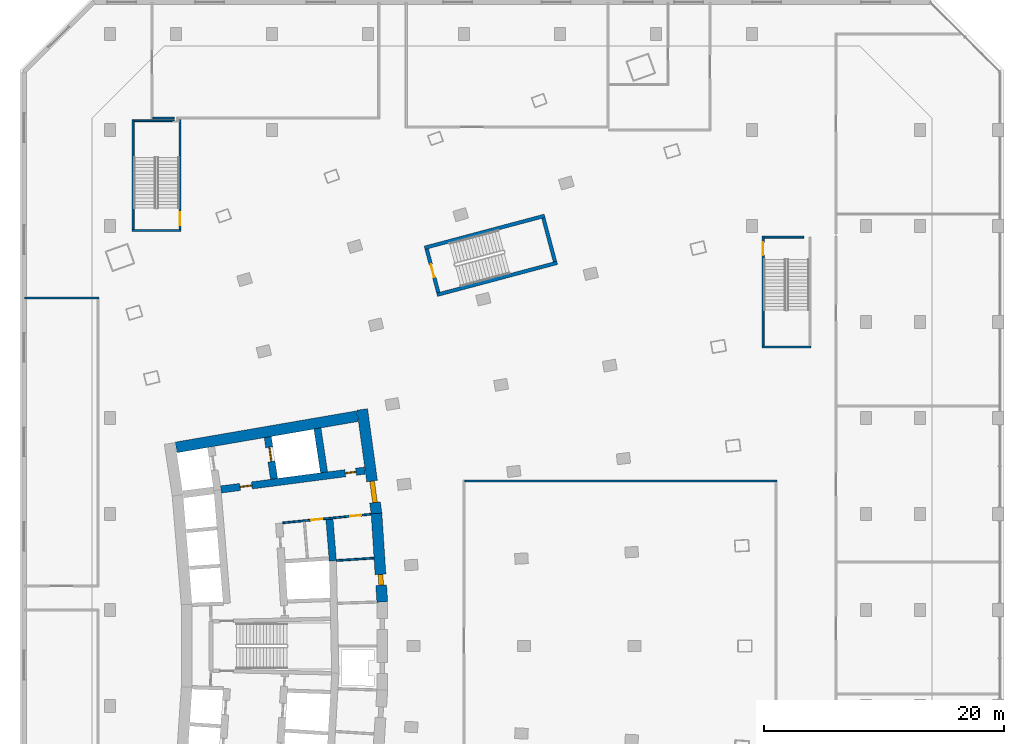
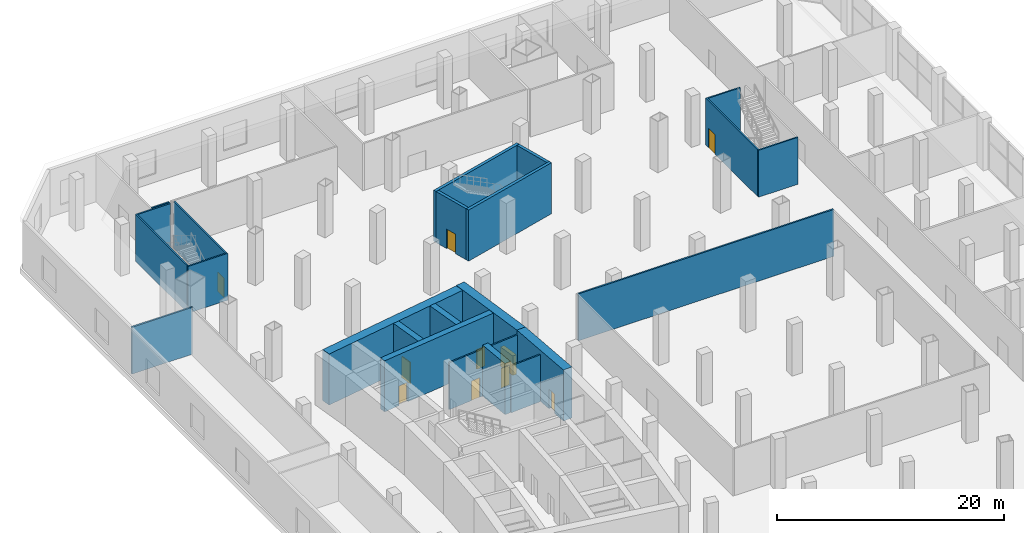
# One storey, part 15 of 26: 23 walls, 10 doors, 10 openings.
"""IFC4 building model written with IfcOpenShell, lengths in metres."""

from ifc_helpers import new_model, si_unit, direction, frame, frame_2d, origin, place, context, subcontext, project, spatial, rectangle, extrude, material, layer, layer_set, type_object, element, fill, save


model = new_model("IFC4")

# Units and contexts
model_context = context("Model", 3, precision=1e-05, world=origin(), true_north=direction((0.0, 1.0)))
body_context = subcontext(model_context, "Body", "Model", "MODEL_VIEW")
ifc_project = project(units=[si_unit("LENGTHUNIT", "METRE"), si_unit("AREAUNIT", "SQUARE_METRE"), si_unit("VOLUMEUNIT", "CUBIC_METRE"), si_unit("PLANEANGLEUNIT", "RADIAN"), si_unit("MASSUNIT", "GRAM", prefix="KILO")], contexts=[model_context])

# Site, building, storey
site_placement = place(None, origin())
site = spatial("IfcSite", under=ifc_project, at=site_placement, CompositionType="ELEMENT")
building_placement = place(site_placement, origin())
building = spatial("IfcBuilding", under=site, at=building_placement, Name="Alderwake Tower", CompositionType="ELEMENT")
storey_placement = place(building_placement, frame((0.0, 0.0, 8.0)))
storey = spatial("IfcBuildingStorey", under=building, at=storey_placement, Name="L01", CompositionType="ELEMENT", Elevation=8.0)

# Wall
ifc_material_1 = material(Name="Gypsum shaft wall system, rated")
ifc_layer_1 = layer(ifc_material_1, 0.14990234375)
ifc_layer_set_1 = layer_set([ifc_layer_1], Name="Core room partition 150")
wall_type_1 = type_object("IfcWallType", Name="Core room partition 150", PredefinedType="PARTITIONING", material=ifc_layer_set_1)
wall_1_placement = place(storey_placement, frame((29.36865234375, 68.1220703125, 0.0), z_axis=(0.0, 0.0, 1.0), x_axis=(0.997885090452, 0.065002663433, 0.0)))
element("IfcWall", 1, at=wall_1_placement, inside=storey, type_object=wall_type_1, Name="CW/L01/PR+68_+128", PredefinedType="PARTITIONING", context=body_context, shape_type="SweptSolid", body=[
    extrude(rectangle(XDim=3.10986328125, YDim=0.14990234375, at=frame_2d((1.554931640625, 0.0))), origin(), (0.0, 0.0, 1.0), 5.050048828125),
])

# Wall, openings, doors
wall_2_placement = place(storey_placement, frame((32.233642578125, 71.982177734375, 0.0), z_axis=(0.0, 0.0, 1.0), x_axis=(-0.995245540971, -0.097397706226, 0.0)))
wall_2 = element("IfcWall", 2, at=wall_2_placement, inside=storey, type_object=wall_type_1, Name="CW/L01/PR+102_+86", PredefinedType="PARTITIONING", context=body_context, shape_type="SweptSolid", body=[
    extrude(rectangle(XDim=7.36962890625, YDim=0.14990234375, at=frame_2d((3.684814453125, 0.0))), origin(), (0.0, 0.0, 1.0), 5.050048828125),
])
opening_1_placement = place(wall_2_placement, frame((4.069580078125, 0.0, 0.0)))
opening_1 = element("IfcOpeningElement", 3, at=opening_1_placement, cuts=wall_2, Name="Opening C022", PredefinedType="OPENING", context=body_context, shape_type="SweptSolid", body=[
    extrude(rectangle(XDim=0.89990234375, YDim=2.10009765625, at=frame_2d((0.449951171875, 1.050048828125))), frame((0.0, 0.0849609375, 0.0), z_axis=(0.0, -1.0, 0.0), x_axis=(1.0, 0.0, 0.0)), (0.0, 0.0, 1.0), 0.169921875),
])
opening_2_placement = place(wall_2_placement, frame((0.819580078125, 0.0, 0.0)))
opening_2 = element("IfcOpeningElement", 4, at=opening_2_placement, cuts=wall_2, Name="Opening C036", PredefinedType="OPENING", context=body_context, shape_type="SweptSolid", body=[
    extrude(rectangle(XDim=0.89990234375, YDim=2.10009765625, at=frame_2d((0.449951171875, 1.050048828125))), frame((0.0, 0.0849609375, 0.0), z_axis=(0.0, -1.0, 0.0), x_axis=(1.0, 0.0, 0.0)), (0.0, 0.0, 1.0), 0.169921875),
])
ifc_material_2 = material(Name="Painted steel leaf", Category="steel")
door_type_1 = type_object("IfcDoorType", Name="Core room door 900", OperationType="SINGLE_SWING_LEFT", PredefinedType="DOOR", material=ifc_material_2)
door_1_placement = place(opening_1_placement, origin())
door_1 = element("IfcDoor", 5, at=door_1_placement, inside=storey, type_object=door_type_1, Name="Room door", OperationType="SINGLE_SWING_RIGHT", OverallHeight=2.10009765625, OverallWidth=0.89990234375, PredefinedType="DOOR", context=body_context, shape_type="SweptSolid", body=[
    extrude(rectangle(XDim=0.89990234375, YDim=2.10009765625, at=frame_2d((0.449951171875, 1.050048828125))), frame((0.0, 0.02490234375, 0.0), z_axis=(0.0, -1.0, 0.0), x_axis=(1.0, 0.0, 0.0)), (0.0, 0.0, 1.0), 0.050048828125),
])
fill(opening_1, door_1)
door_2_placement = place(opening_2_placement, origin())
door_2 = element("IfcDoor", 6, at=door_2_placement, inside=storey, type_object=door_type_1, Name="Room door", OperationType="SINGLE_SWING_LEFT", OverallHeight=2.10009765625, OverallWidth=0.89990234375, PredefinedType="DOOR", context=body_context, shape_type="SweptSolid", body=[
    extrude(rectangle(XDim=0.89990234375, YDim=2.10009765625, at=frame_2d((0.449951171875, 1.050048828125))), frame((0.0, 0.02490234375, 0.0), z_axis=(0.0, -1.0, 0.0), x_axis=(1.0, 0.0, 0.0)), (0.0, 0.0, 1.0), 0.050048828125),
])
fill(opening_2, door_2)

# Wall, opening, door
ifc_material_3 = material(Name="Concrete C70/85", Category="concrete")
ifc_layer_2 = layer(ifc_material_3, 0.89990234375)
ifc_layer_set_2 = layer_set([ifc_layer_2], Name="Core wall outer 900 C70-85")
wall_type_2 = type_object("IfcWallType", Name="Core wall outer 900 C70-85", PredefinedType="SHEAR", material=ifc_layer_set_2)
wall_3_placement = place(storey_placement, frame((32.710693359375, 72.04541015625, 0.0), z_axis=(0.0, 0.0, 1.0), x_axis=(0.064976219143, -0.997886812693, 0.0)))
wall_3 = element("IfcWall", 7, at=wall_3_placement, inside=storey, type_object=wall_type_2, Name="Core wall CW.010", PredefinedType="SHEAR", context=body_context, shape_type="SweptSolid", body=[
    extrude(rectangle(XDim=7.39453125, YDim=0.89990234375, at=frame_2d((3.697265625, 0.0))), origin(), (0.0, 0.0, 1.0), 5.5),
])
opening_3_placement = place(wall_3_placement, frame((5.089111328125, 0.0, 0.0)))
opening_3 = element("IfcOpeningElement", 8, at=opening_3_placement, cuts=wall_3, Name="Opening C035", PredefinedType="OPENING", context=body_context, shape_type="SweptSolid", body=[
    extrude(rectangle(XDim=0.89990234375, YDim=2.10009765625, at=frame_2d((0.449951171875, 1.050048828125))), frame((0.0, 0.4599609375, 0.0), z_axis=(0.0, -1.0, 0.0), x_axis=(1.0, 0.0, 0.0)), (0.0, 0.0, 1.0), 0.919921875),
])
door_3_placement = place(opening_3_placement, origin())
door_3 = element("IfcDoor", 9, at=door_3_placement, inside=storey, type_object=door_type_1, Name="Room door", OperationType="SINGLE_SWING_RIGHT", OverallHeight=2.10009765625, OverallWidth=0.89990234375, PredefinedType="DOOR", context=body_context, shape_type="SweptSolid", body=[
    extrude(rectangle(XDim=0.89990234375, YDim=2.10009765625, at=frame_2d((0.449951171875, 1.050048828125))), frame((0.0, 0.199951171875, 0.0), z_axis=(0.0, -1.0, 0.0), x_axis=(1.0, 0.0, 0.0)), (0.0, 0.0, 1.0), 0.39990234375),
])
fill(opening_3, door_3)

wall_4_placement = place(storey_placement, frame((31.520263671875, 80.7177734375, 0.0), z_axis=(0.0, 0.0, 1.0), x_axis=(0.135844728876, -0.990730139663, 0.0)))
wall_4 = element("IfcWall", 10, at=wall_4_placement, inside=storey, type_object=wall_type_2, Name="Core wall CW.009", PredefinedType="SHEAR", context=body_context, shape_type="SweptSolid", body=[
    extrude(rectangle(XDim=8.78662109375, YDim=0.89990234375, at=frame_2d((4.393310546875, 0.0))), origin(), (0.0, 0.0, 1.0), 5.5),
])
opening_4_placement = place(wall_4_placement, frame((6.02978515625, 0.0, 0.0)))
opening_4 = element("IfcOpeningElement", 11, at=opening_4_placement, cuts=wall_4, Name="Opening C001", PredefinedType="OPENING", context=body_context, shape_type="SweptSolid", body=[
    extrude(rectangle(XDim=1.800048828125, YDim=2.10009765625, at=frame_2d((0.89990234375, 1.050048828125))), frame((0.0, 0.4599609375, 0.0), z_axis=(0.0, -1.0, 0.0), x_axis=(1.0, 0.0, 0.0)), (0.0, 0.0, 1.0), 0.919921875),
])
ifc_material_4 = material(Name="Steel-framed fire door leaves", Category="steel")
door_type_2 = type_object("IfcDoorType", Name="Core double door 1800 fire-rated", OperationType="DOUBLE_DOOR_SINGLE_SWING", PredefinedType="DOOR", material=ifc_material_4)
door_4_placement = place(opening_4_placement, origin())
door_4 = element("IfcDoor", 12, at=door_4_placement, inside=storey, type_object=door_type_2, Name="Lobby double door", OperationType="DOUBLE_DOOR_SINGLE_SWING", OverallHeight=2.10009765625, OverallWidth=1.800048828125, PredefinedType="DOOR", context=body_context, shape_type="SweptSolid", body=[
    extrude(rectangle(XDim=1.800048828125, YDim=2.10009765625, at=frame_2d((0.89990234375, 1.050048828125))), frame((0.0, 0.199951171875, 0.0), z_axis=(0.0, -1.0, 0.0), x_axis=(1.0, 0.0, 0.0)), (0.0, 0.0, 1.0), 0.39990234375),
])
fill(opening_4, door_4)

# Wall
wall_5_placement = place(storey_placement, frame((16.005615234375, 77.548828125, 0.0), z_axis=(0.0, 0.0, 1.0), x_axis=(0.985465815888, 0.169873852363, 0.0)))
element("IfcWall", 13, at=wall_5_placement, inside=storey, type_object=wall_type_2, Name="Core wall CW.053", PredefinedType="SHEAR", context=body_context, shape_type="SweptSolid", body=[
    extrude(rectangle(XDim=15.33056640625, YDim=0.89990234375, at=frame_2d((7.665283203125, 0.0))), origin(), (0.0, 0.0, 1.0), 5.5),
])

# Wall, opening, door
ifc_material_5 = material(Name="Concrete C70/85", Category="concrete")
ifc_layer_3 = layer(ifc_material_5, 0.60009765625)
ifc_layer_set_3 = layer_set([ifc_layer_3], Name="Core wall spine 600 C70-85")
wall_type_3 = type_object("IfcWallType", Name="Core wall spine 600 C70-85", PredefinedType="SHEAR", material=ifc_layer_set_3)
wall_6_placement = place(storey_placement, frame((24.173095703125, 74.927734375, 0.0), z_axis=(0.0, 0.0, 1.0), x_axis=(-0.14910953086, 0.988820685365, 0.0)))
wall_6 = element("IfcWall", 14, at=wall_6_placement, inside=storey, type_object=wall_type_3, Name="Core wall CW.044", PredefinedType="SHEAR", context=body_context, shape_type="SweptSolid", body=[
    extrude(rectangle(XDim=3.5234375, YDim=0.60009765625, at=frame_2d((1.76171875, 0.0))), origin(), (0.0, 0.0, 1.0), 5.5),
])
opening_5_placement = place(wall_6_placement, frame((1.4619140625, 0.0, 0.0)))
opening_5 = element("IfcOpeningElement", 15, at=opening_5_placement, cuts=wall_6, Name="Opening LD-FF2", PredefinedType="OPENING", context=body_context, shape_type="SweptSolid", body=[
    extrude(rectangle(XDim=1.199951171875, YDim=2.300048828125, at=frame_2d((0.60009765625, 1.14990234375))), frame((0.0, 0.31005859375, 0.0), z_axis=(0.0, -1.0, 0.0), x_axis=(1.0, 0.0, 0.0)), (0.0, 0.0, 1.0), 0.6201171875),
])
ifc_material_6 = material(Name="Stainless steel sliding leaf", Category="steel")
door_type_3 = type_object("IfcDoorType", Name="Lift landing door 1200", OperationType="SLIDING_TO_LEFT", PredefinedType="DOOR", material=ifc_material_6)
door_5_placement = place(opening_5_placement, origin())
door_5 = element("IfcDoor", 16, at=door_5_placement, inside=storey, type_object=door_type_3, Name="Lift landing door FF2", OperationType="SLIDING_TO_LEFT", OverallHeight=2.300048828125, OverallWidth=1.199951171875, PredefinedType="DOOR", context=body_context, shape_type="SweptSolid", body=[
    extrude(rectangle(XDim=1.199951171875, YDim=2.300048828125, at=frame_2d((0.60009765625, 1.14990234375))), frame((0.0, 0.050048828125, 0.0), z_axis=(0.0, -1.0, 0.0), x_axis=(1.0, 0.0, 0.0)), (0.0, 0.0, 1.0), 0.10009765625),
])
fill(opening_5, door_5)

# Walls
wall_7_placement = place(storey_placement, frame((29.069580078125, 68.09326171875, 0.0), z_axis=(0.0, 0.0, 1.0), x_axis=(-0.080849700234, 0.996726304445, 0.0)))
element("IfcWall", 17, at=wall_7_placement, inside=storey, type_object=wall_type_3, Name="Core wall CW.003", PredefinedType="SHEAR", context=body_context, shape_type="SweptSolid", body=[
    extrude(rectangle(XDim=3.48779296875, YDim=0.60009765625, at=frame_2d((1.743896484375, 0.0))), origin(), (0.0, 0.0, 1.0), 5.5),
])
wall_8_placement = place(storey_placement, frame((28.337646484375, 75.472412109375, 0.0), z_axis=(0.0, 0.0, 1.0), x_axis=(-0.149224787751, 0.988803298296, 0.0)))
element("IfcWall", 18, at=wall_8_placement, inside=storey, type_object=wall_type_3, Name="Core wall CW.001", PredefinedType="SHEAR", context=body_context, shape_type="SweptSolid", body=[
    extrude(rectangle(XDim=3.712158203125, YDim=0.60009765625, at=frame_2d((1.85595703125, 0.0))), origin(), (0.0, 0.0, 1.0), 5.5),
])

# Wall, openings, doors
wall_9_placement = place(storey_placement, frame((31.735595703125, 75.6142578125, 0.0), z_axis=(0.0, 0.0, 1.0), x_axis=(-0.991553829991, -0.129695806526, 0.0)))
wall_9 = element("IfcWall", 19, at=wall_9_placement, inside=storey, type_object=wall_type_3, Name="Core wall CW.052", PredefinedType="SHEAR", context=body_context, shape_type="SweptSolid", body=[
    extrude(rectangle(XDim=12.0869140625, YDim=0.60009765625, at=frame_2d((6.04345703125, 0.0))), origin(), (0.0, 0.0, 1.0), 5.5),
])
opening_6_placement = place(wall_9_placement, frame((9.4873046875, 0.0, 0.0)))
opening_6 = element("IfcOpeningElement", 20, at=opening_6_placement, cuts=wall_9, Name="Opening C002", PredefinedType="OPENING", context=body_context, shape_type="SweptSolid", body=[
    extrude(rectangle(XDim=1.0, YDim=2.10009765625, at=frame_2d((0.5, 1.050048828125))), frame((0.0, 0.31005859375, 0.0), z_axis=(0.0, -1.0, 0.0), x_axis=(1.0, 0.0, 0.0)), (0.0, 0.0, 1.0), 0.6201171875),
])
opening_7_placement = place(wall_9_placement, frame((0.7373046875, 0.0, 0.0)))
opening_7 = element("IfcOpeningElement", 21, at=opening_7_placement, cuts=wall_9, Name="Opening C020", PredefinedType="OPENING", context=body_context, shape_type="SweptSolid", body=[
    extrude(rectangle(XDim=0.89990234375, YDim=2.10009765625, at=frame_2d((0.449951171875, 1.050048828125))), frame((0.0, 0.31005859375, 0.0), z_axis=(0.0, -1.0, 0.0), x_axis=(1.0, 0.0, 0.0)), (0.0, 0.0, 1.0), 0.6201171875),
])
door_6_placement = place(opening_7_placement, origin())
door_6 = element("IfcDoor", 22, at=door_6_placement, inside=storey, type_object=door_type_1, Name="Room door", OperationType="SINGLE_SWING_LEFT", OverallHeight=2.10009765625, OverallWidth=0.89990234375, PredefinedType="DOOR", context=body_context, shape_type="SweptSolid", body=[
    extrude(rectangle(XDim=0.89990234375, YDim=2.10009765625, at=frame_2d((0.449951171875, 1.050048828125))), frame((0.0, 0.050048828125, 0.0), z_axis=(0.0, -1.0, 0.0), x_axis=(1.0, 0.0, 0.0)), (0.0, 0.0, 1.0), 0.10009765625),
])
fill(opening_7, door_6)
ifc_material_7 = material(Name="Steel-framed fire door leaf", Category="steel")
door_type_4 = type_object("IfcDoorType", Name="Firefighting lobby door 1000 fire-rated", OperationType="SINGLE_SWING_LEFT", PredefinedType="DOOR", material=ifc_material_7)
door_7_placement = place(opening_6_placement, origin())
door_7 = element("IfcDoor", 23, at=door_7_placement, inside=storey, type_object=door_type_4, Name="Firefighting lobby door", OperationType="SINGLE_SWING_RIGHT", OverallHeight=2.10009765625, OverallWidth=1.0, PredefinedType="DOOR", context=body_context, shape_type="SweptSolid", body=[
    extrude(rectangle(XDim=1.0, YDim=2.10009765625, at=frame_2d((0.5, 1.050048828125))), frame((0.0, 0.050048828125, 0.0), z_axis=(0.0, -1.0, 0.0), x_axis=(1.0, 0.0, 0.0)), (0.0, 0.0, 1.0), 0.10009765625),
])
fill(opening_6, door_7)

# Walls
ifc_material_8 = material(Name="Concrete C70/85", Category="concrete")
ifc_layer_4 = layer(ifc_material_8, 0.300048828125)
ifc_layer_set_4 = layer_set([ifc_layer_4], Name="Core wall stair enclosure 300 C70-85")
wall_type_4 = type_object("IfcWallType", Name="Core wall stair enclosure 300 C70-85", PredefinedType="SHEAR", material=ifc_layer_set_4)
for number, where, z_axis, x_axis, name in (
    (24, (36.71142578125, 94.182373046875, 0.0), (0.0, 0.0, 1.0), (0.966309214305, 0.257383958996, 0.0), "Core wall CW.082"),
    (25, (37.75390625, 90.268798828125, 0.0), (0.0, 0.0, 1.0), (0.966309214305, 0.257383958996, 0.0), "Core wall CW.084"),
):
    element("IfcWall", number, at=place(storey_placement, frame(where, z_axis=z_axis, x_axis=x_axis)), inside=storey, type_object=wall_type_4, Name=name, PredefinedType="SHEAR", context=body_context, shape_type="SweptSolid", body=[
        extrude(rectangle(XDim=10.360107421875, YDim=0.300048828125, at=frame_2d((5.18017578125, 0.0))), origin(), (0.0, 0.0, 1.0), 5.5),
    ])

# Wall, opening, door
wall_10_placement = place(storey_placement, frame((37.8603515625, 90.452392578125, 0.0), z_axis=(0.0, 0.0, 1.0), x_axis=(-0.257411420208, 0.966301899381, 0.0)))
wall_10 = element("IfcWall", 26, at=wall_10_placement, inside=storey, type_object=wall_type_4, Name="Core wall CW.083", PredefinedType="SHEAR", context=body_context, shape_type="SweptSolid", body=[
    extrude(rectangle(XDim=3.750244140625, YDim=0.300048828125, at=frame_2d((1.875, 0.0))), origin(), (0.0, 0.0, 1.0), 5.5),
])
opening_8_placement = place(wall_10_placement, frame((1.324951171875, 0.0, 0.0)))
opening_8 = element("IfcOpeningElement", 27, at=opening_8_placement, cuts=wall_10, Name="Opening C062", PredefinedType="OPENING", context=body_context, shape_type="SweptSolid", body=[
    extrude(rectangle(XDim=1.10009765625, YDim=2.10009765625, at=frame_2d((0.550048828125, 1.050048828125))), frame((0.0, 0.159912109375, 0.0), z_axis=(0.0, -1.0, 0.0), x_axis=(1.0, 0.0, 0.0)), (0.0, 0.0, 1.0), 0.320068359375),
])
ifc_material_9 = material(Name="Steel-framed fire door leaf", Category="steel")
door_type_5 = type_object("IfcDoorType", Name="Core stair door 1100 fire-rated", OperationType="SINGLE_SWING_LEFT", PredefinedType="DOOR", material=ifc_material_9)
door_8_placement = place(opening_8_placement, origin())
door_8 = element("IfcDoor", 28, at=door_8_placement, inside=storey, type_object=door_type_5, Name="Stair door", OperationType="SINGLE_SWING_RIGHT", OverallHeight=2.10009765625, OverallWidth=1.10009765625, PredefinedType="DOOR", context=body_context, shape_type="SweptSolid", body=[
    extrude(rectangle(XDim=1.10009765625, YDim=2.10009765625, at=frame_2d((0.550048828125, 1.050048828125))), frame((0.0, 0.02490234375, 0.0), z_axis=(0.0, -1.0, 0.0), x_axis=(1.0, 0.0, 0.0)), (0.0, 0.0, 1.0), 0.050048828125),
])
fill(opening_8, door_8)

# Walls
wall_11_placement = place(storey_placement, frame((47.581298828125, 93.041748046875, 0.0), z_axis=(0.0, 0.0, 1.0), x_axis=(-0.257366821694, 0.966313778796, 0.0)))
element("IfcWall", 29, at=wall_11_placement, inside=storey, type_object=wall_type_4, Name="Core wall CW.081", PredefinedType="SHEAR", context=body_context, shape_type="SweptSolid", body=[
    extrude(rectangle(XDim=3.749755859375, YDim=0.300048828125, at=frame_2d((1.875, 0.0))), origin(), (0.0, 0.0, 1.0), 5.5),
])
ifc_material_10 = material(Name="Gypsum board on metal studs, rated")
ifc_layer_5 = layer(ifc_material_10, 0.159912109375)
ifc_layer_set_5 = layer_set([ifc_layer_5], Name="Corridor wall 160")
wall_type_5 = type_object("IfcWallType", Name="Corridor wall 160", PredefinedType="PARTITIONING", material=ifc_layer_set_5)
wall_12_placement = place(storey_placement, frame((3.3798828125, 90.0, 0.0), z_axis=(0.0, 0.0, 1.0), x_axis=(1.0, 0.0, 0.0)))
element("IfcWall", 30, at=wall_12_placement, inside=storey, type_object=wall_type_5, Name="WL/L01/W29", PredefinedType="PARTITIONING", context=body_context, shape_type="SweptSolid", body=[
    extrude(rectangle(XDim=6.201171875, YDim=0.159912109375, at=frame_2d((3.1005859375, 0.0))), origin(), (0.0, 0.0, 1.0), 5.050048828125),
])
wall_13_placement = place(storey_placement, frame((15.8720703125, 105.0, 0.0), z_axis=(0.0, 0.0, 1.0), x_axis=(-1.0, 0.0, 0.0)))
element("IfcWall", 31, at=wall_13_placement, inside=storey, type_object=wall_type_5, Name="WL/L01/W39", PredefinedType="PARTITIONING", context=body_context, shape_type="SweptSolid", body=[
    extrude(rectangle(XDim=1.791015625, YDim=0.159912109375, at=frame_2d((0.8955078125, 0.0))), origin(), (0.0, 0.0, 1.0), 5.050048828125),
])
wall_14_placement = place(storey_placement, frame((40.0791015625, 74.7509765625, 0.0), z_axis=(0.0, 0.0, 1.0), x_axis=(1.0, 0.0, 0.0)))
element("IfcWall", 32, at=wall_14_placement, inside=storey, type_object=wall_type_5, Name="WL/L01/W45", PredefinedType="PARTITIONING", context=body_context, shape_type="SweptSolid", body=[
    extrude(rectangle(XDim=26.0009765625, YDim=0.159912109375, at=frame_2d((13.00048828125, 0.0))), origin(), (0.0, 0.0, 1.0), 5.050048828125),
])
ifc_material_11 = material(Name="Gypsum shaft wall system, rated")
ifc_layer_6 = layer(ifc_material_11, 0.14990234375)
ifc_layer_set_6 = layer_set([ifc_layer_6], Name="Riser and shaft wall 150")
wall_type_6 = type_object("IfcWallType", Name="Riser and shaft wall 150", PredefinedType="PARTITIONING", material=ifc_layer_set_6)
wall_15_placement = place(storey_placement, frame((12.35107421875, 95.625, 0.0), z_axis=(0.0, 0.0, 1.0), x_axis=(1.0, 0.0, 0.0)))
element("IfcWall", 33, at=wall_15_placement, inside=storey, type_object=wall_type_6, Name="WL/L01/W10", PredefinedType="PARTITIONING", context=body_context, shape_type="SweptSolid", body=[
    extrude(rectangle(XDim=4.0498046875, YDim=0.14990234375, at=frame_2d((2.02490234375, 0.0))), origin(), (0.0, 0.0, 1.0), 5.050048828125),
])
wall_16_placement = place(storey_placement, frame((68.303955078125, 95.075927734375, 0.0), z_axis=(0.0, 0.0, 1.0), x_axis=(-1.0, 0.0, 0.0)))
element("IfcWall", 34, at=wall_16_placement, inside=storey, type_object=wall_type_6, Name="WL/L01/W22", PredefinedType="PARTITIONING", context=body_context, shape_type="SweptSolid", body=[
    extrude(rectangle(XDim=3.302978515625, YDim=0.14990234375, at=frame_2d((1.6513671875, 0.0))), origin(), (0.0, 0.0, 1.0), 5.050048828125),
])
ifc_material_12 = material(Name="Concrete C40/50", Category="concrete")
ifc_layer_7 = layer(ifc_material_12, 0.14990234375)
ifc_layer_set_7 = layer_set([ifc_layer_7], Name="Stair shaft wall 150 C40/50")
wall_type_7 = type_object("IfcWallType", Name="Stair shaft wall 150 C40/50", PredefinedType="SHEAR", material=ifc_layer_set_7)
wall_17_placement = place(storey_placement, frame((12.426025390625, 104.85009765625, 0.0), z_axis=(0.0, 0.0, 1.0), x_axis=(0.0, -1.0, 0.0)))
element("IfcWall", 35, at=wall_17_placement, inside=storey, type_object=wall_type_7, Name="WL/L01/W11", PredefinedType="SHEAR", context=body_context, shape_type="SweptSolid", body=[
    extrude(rectangle(XDim=9.150146484375, YDim=0.14990234375, at=frame_2d((4.5751953125, 0.0))), origin(), (0.0, 0.0, 1.0), 5.050048828125),
])
wall_18_placement = place(storey_placement, frame((15.866943359375, 104.77490234375, 0.0), z_axis=(0.0, 0.0, 1.0), x_axis=(-1.0, 0.0, 0.0)))
element("IfcWall", 36, at=wall_18_placement, inside=storey, type_object=wall_type_7, Name="WL/L01/W13", PredefinedType="SHEAR", context=body_context, shape_type="SweptSolid", body=[
    extrude(rectangle(XDim=3.365966796875, YDim=0.14990234375, at=frame_2d((1.68310546875, 0.0))), origin(), (0.0, 0.0, 1.0), 5.050048828125),
])

# Wall, opening, door
wall_19_placement = place(storey_placement, frame((16.325927734375, 104.85009765625, 0.0), z_axis=(0.0, 0.0, 1.0), x_axis=(0.0, -1.0, 0.0)))
wall_19 = element("IfcWall", 37, at=wall_19_placement, inside=storey, type_object=wall_type_7, Name="WL/L01/W16", PredefinedType="SHEAR", context=body_context, shape_type="SweptSolid", body=[
    extrude(rectangle(XDim=9.150146484375, YDim=0.14990234375, at=frame_2d((4.5751953125, 0.0))), origin(), (0.0, 0.0, 1.0), 5.050048828125),
])
opening_9_placement = place(wall_19_placement, frame((7.699951171875, 0.0, 0.0)))
opening_9 = element("IfcOpeningElement", 38, at=opening_9_placement, cuts=wall_19, Name="Opening L01-21", PredefinedType="OPENING", context=body_context, shape_type="SweptSolid", body=[
    extrude(rectangle(XDim=1.10009765625, YDim=2.10009765625, at=frame_2d((0.550048828125, 1.050048828125))), frame((0.0, 0.0849609375, 0.0), z_axis=(0.0, -1.0, 0.0), x_axis=(1.0, 0.0, 0.0)), (0.0, 0.0, 1.0), 0.169921875),
])
ifc_material_13 = material(Name="Steel-framed fire door leaf", Category="steel")
door_type_6 = type_object("IfcDoorType", Name="Stair door 1100 fire-rated", OperationType="SINGLE_SWING_LEFT", PredefinedType="DOOR", material=ifc_material_13)
door_9_placement = place(opening_9_placement, origin())
door_9 = element("IfcDoor", 39, at=door_9_placement, inside=storey, type_object=door_type_6, Name="DR/L01/21", OperationType="SINGLE_SWING_LEFT", OverallHeight=2.10009765625, OverallWidth=1.10009765625, PredefinedType="DOOR", context=body_context, shape_type="SweptSolid", body=[
    extrude(rectangle(XDim=1.10009765625, YDim=2.10009765625, at=frame_2d((0.550048828125, 1.050048828125))), frame((0.0, 0.02490234375, 0.0), z_axis=(0.0, -1.0, 0.0), x_axis=(1.0, 0.0, 0.0)), (0.0, 0.0, 1.0), 0.050048828125),
])
fill(opening_9, door_9)

# Wall
wall_20_placement = place(storey_placement, frame((64.85107421875, 85.926025390625, 0.0), z_axis=(0.0, 0.0, 1.0), x_axis=(1.0, 0.0, 0.0)))
element("IfcWall", 40, at=wall_20_placement, inside=storey, type_object=wall_type_7, Name="WL/L01/W20", PredefinedType="SHEAR", context=body_context, shape_type="SweptSolid", body=[
    extrude(rectangle(XDim=4.0498046875, YDim=0.14990234375, at=frame_2d((2.02490234375, 0.0))), origin(), (0.0, 0.0, 1.0), 5.050048828125),
])

# Wall, opening, door
wall_21_placement = place(storey_placement, frame((64.926025390625, 86.0009765625, 0.0), z_axis=(0.0, 0.0, 1.0), x_axis=(0.0, 1.0, 0.0)))
wall_21 = element("IfcWall", 41, at=wall_21_placement, inside=storey, type_object=wall_type_7, Name="WL/L01/W21", PredefinedType="SHEAR", context=body_context, shape_type="SweptSolid", body=[
    extrude(rectangle(XDim=9.14990234375, YDim=0.14990234375, at=frame_2d((4.574951171875, 0.0))), origin(), (0.0, 0.0, 1.0), 5.050048828125),
])
opening_10_placement = place(wall_21_placement, frame((7.549072265625, 0.0, 0.0)))
opening_10 = element("IfcOpeningElement", 42, at=opening_10_placement, cuts=wall_21, Name="Opening L01-22", PredefinedType="OPENING", context=body_context, shape_type="SweptSolid", body=[
    extrude(rectangle(XDim=1.10009765625, YDim=2.10009765625, at=frame_2d((0.550048828125, 1.050048828125))), frame((0.0, 0.0849609375, 0.0), z_axis=(0.0, -1.0, 0.0), x_axis=(1.0, 0.0, 0.0)), (0.0, 0.0, 1.0), 0.169921875),
])
door_10_placement = place(opening_10_placement, origin())
door_10 = element("IfcDoor", 43, at=door_10_placement, inside=storey, type_object=door_type_6, Name="DR/L01/22", OperationType="SINGLE_SWING_LEFT", OverallHeight=2.10009765625, OverallWidth=1.10009765625, PredefinedType="DOOR", context=body_context, shape_type="SweptSolid", body=[
    extrude(rectangle(XDim=1.10009765625, YDim=2.10009765625, at=frame_2d((0.550048828125, 1.050048828125))), frame((0.0, 0.02490234375, 0.0), z_axis=(0.0, -1.0, 0.0), x_axis=(1.0, 0.0, 0.0)), (0.0, 0.0, 1.0), 0.050048828125),
])
fill(opening_10, door_10)

save(model, "model.ifc")
